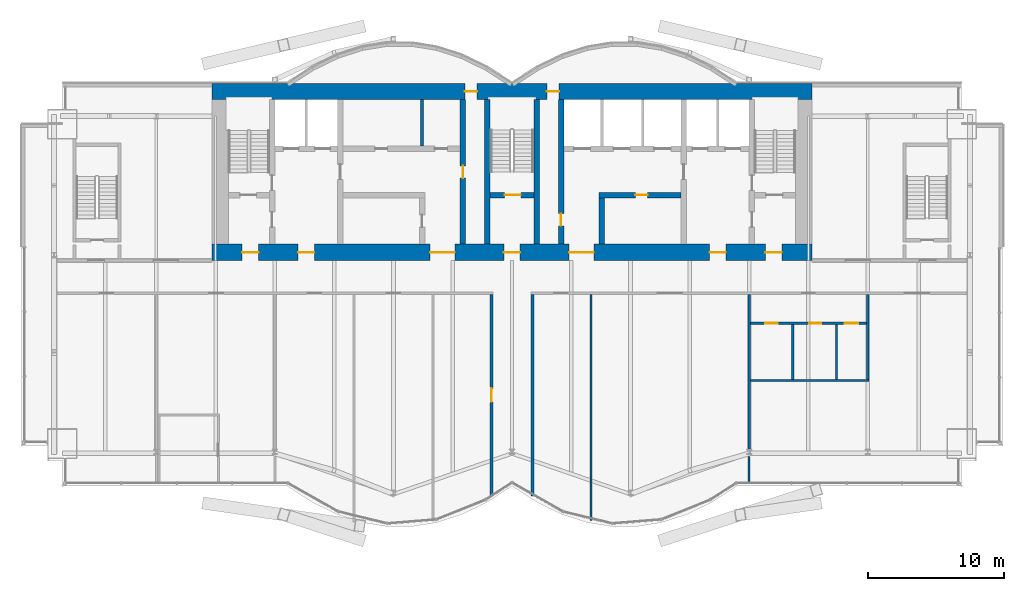
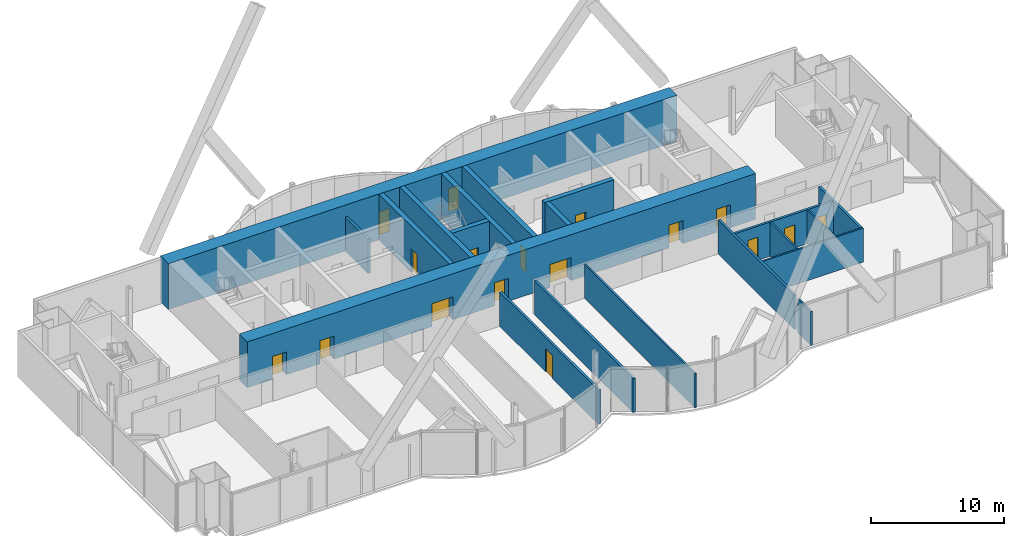
# One storey, part 17 of 22: 20 walls, 17 doors, 17 openings.
"""IFC4 building model written with IfcOpenShell, lengths in metres."""

from ifc_helpers import new_model, si_unit, direction, frame, frame_2d, origin, place, context, subcontext, project, spatial, rectangle, extrude, material, layer, layer_set, type_object, element, fill, save


model = new_model("IFC4")

# Units and contexts
model_context = context("Model", 3, precision=1e-05, world=origin(), true_north=direction((0.0, 1.0)))
body_context = subcontext(model_context, "Body", "Model", "MODEL_VIEW")
ifc_project = project(units=[si_unit("LENGTHUNIT", "METRE"), si_unit("AREAUNIT", "SQUARE_METRE"), si_unit("VOLUMEUNIT", "CUBIC_METRE"), si_unit("PLANEANGLEUNIT", "RADIAN"), si_unit("MASSUNIT", "GRAM", prefix="KILO")], contexts=[model_context])

# Site, building, storey
site_placement = place(None, origin())
site = spatial("IfcSite", under=ifc_project, at=site_placement, CompositionType="ELEMENT")
building_placement = place(site_placement, origin())
building = spatial("IfcBuilding", under=site, at=building_placement, Name="Bicima Exchange Tower", CompositionType="ELEMENT")
storey_placement = place(building_placement, frame((0.0, 0.0, 254.0)))
storey = spatial("IfcBuildingStorey", under=building, at=storey_placement, Name="L57", CompositionType="ELEMENT", Elevation=254.0)

# Wall, openings, doors
ifc_material_1 = material(Name="Gypsum board partition")
ifc_layer_1 = layer(ifc_material_1, 0.199951171875)
ifc_layer_set_1 = layer_set([ifc_layer_1], Name="Gypsum board partition")
wall_type_1 = type_object("IfcWallType", Name="Fire-rated gypsum partition 200 EI60", PredefinedType="PARTITIONING", material=ifc_layer_set_1)
wall_1_placement = place(storey_placement, frame((17.5, -17.60009765625, 0.0), z_axis=(0.0, 0.0, 1.0), x_axis=(1.0, 0.0, 0.0)))
wall_1 = element("IfcWall", 1, at=wall_1_placement, inside=storey, type_object=wall_type_1, Name="partition wall 3", PredefinedType="PARTITIONING", context=body_context, shape_type="SweptSolid", body=[
    extrude(rectangle(XDim=8.5, YDim=0.199951171875, at=frame_2d((4.25, 0.0))), origin(), (0.0, 0.0, 1.0), 3.1181640625),
])
opening_1_placement = place(wall_1_placement, frame((1.10009765625, 0.0, 0.0)))
opening_1 = element("IfcOpeningElement", 2, at=opening_1_placement, cuts=wall_1, Name="Opening L57-015", PredefinedType="OPENING", context=body_context, shape_type="SweptSolid", body=[
    extrude(rectangle(XDim=0.89990234375, YDim=2.10009765625, at=frame_2d((0.449951171875, 1.050048828125))), frame((0.0, 0.11181640625, 0.0), z_axis=(0.0, -1.0, 0.0), x_axis=(1.0, 0.0, 0.0)), (0.0, 0.0, 1.0), 0.223876953125),
])
opening_2_placement = place(wall_1_placement, frame((4.300048828125, 0.0, 0.0)))
opening_2 = element("IfcOpeningElement", 3, at=opening_2_placement, cuts=wall_1, Name="Opening L57-016", PredefinedType="OPENING", context=body_context, shape_type="SweptSolid", body=[
    extrude(rectangle(XDim=0.89990234375, YDim=2.10009765625, at=frame_2d((0.449951171875, 1.050048828125))), frame((0.0, 0.11181640625, 0.0), z_axis=(0.0, -1.0, 0.0), x_axis=(1.0, 0.0, 0.0)), (0.0, 0.0, 1.0), 0.223876953125),
])
opening_3_placement = place(wall_1_placement, frame((6.89990234375, 0.0, 0.0)))
opening_3 = element("IfcOpeningElement", 4, at=opening_3_placement, cuts=wall_1, Name="Opening L57-017", PredefinedType="OPENING", context=body_context, shape_type="SweptSolid", body=[
    extrude(rectangle(XDim=1.0, YDim=2.10009765625, at=frame_2d((0.5, 1.050048828125))), frame((0.0, 0.11181640625, 0.0), z_axis=(0.0, -1.0, 0.0), x_axis=(1.0, 0.0, 0.0)), (0.0, 0.0, 1.0), 0.223876953125),
])
ifc_material_2 = material(Name="Steel fire door leaf", Category="steel")
door_type_1 = type_object("IfcDoorType", Name="Door 1000 swing FD30S", OperationType="SINGLE_SWING_LEFT", PredefinedType="DOOR", material=ifc_material_2)
door_1_placement = place(opening_3_placement, frame((1.0, 0.0, 0.0), z_axis=(0.0, 0.0, 1.0), x_axis=(-1.0, 0.0, 0.0)))
door_1 = element("IfcDoor", 5, at=door_1_placement, inside=storey, type_object=door_type_1, Name="Door", OperationType="SINGLE_SWING_RIGHT", OverallHeight=2.10009765625, OverallWidth=1.0, PredefinedType="DOOR", context=body_context, shape_type="SweptSolid", body=[
    extrude(rectangle(XDim=1.0, YDim=2.10009765625, at=frame_2d((0.5, 1.050048828125))), frame((0.0, 0.02490234375, 0.0), z_axis=(0.0, -1.0, 0.0), x_axis=(1.0, 0.0, 0.0)), (0.0, 0.0, 1.0), 0.050048828125),
])
fill(opening_3, door_1)
door_type_2 = type_object("IfcDoorType", Name="Door 900 swing FD30S", OperationType="SINGLE_SWING_LEFT", PredefinedType="DOOR", material=ifc_material_2)
door_2_placement = place(opening_1_placement, frame((0.89990234375, 0.0, 0.0), z_axis=(0.0, 0.0, 1.0), x_axis=(-1.0, 0.0, 0.0)))
door_2 = element("IfcDoor", 6, at=door_2_placement, inside=storey, type_object=door_type_2, Name="Door", OperationType="SINGLE_SWING_RIGHT", OverallHeight=2.10009765625, OverallWidth=0.89990234375, PredefinedType="DOOR", context=body_context, shape_type="SweptSolid", body=[
    extrude(rectangle(XDim=0.89990234375, YDim=2.10009765625, at=frame_2d((0.449951171875, 1.050048828125))), frame((0.0, 0.02490234375, 0.0), z_axis=(0.0, -1.0, 0.0), x_axis=(1.0, 0.0, 0.0)), (0.0, 0.0, 1.0), 0.050048828125),
])
fill(opening_1, door_2)
door_3_placement = place(opening_2_placement, frame((0.89990234375, 0.0, 0.0), z_axis=(0.0, 0.0, 1.0), x_axis=(-1.0, 0.0, 0.0)))
door_3 = element("IfcDoor", 7, at=door_3_placement, inside=storey, type_object=door_type_2, Name="Door", OperationType="SINGLE_SWING_LEFT", OverallHeight=2.10009765625, OverallWidth=0.89990234375, PredefinedType="DOOR", context=body_context, shape_type="SweptSolid", body=[
    extrude(rectangle(XDim=0.89990234375, YDim=2.10009765625, at=frame_2d((0.449951171875, 1.050048828125))), frame((0.0, 0.02490234375, 0.0), z_axis=(0.0, -1.0, 0.0), x_axis=(1.0, 0.0, 0.0)), (0.0, 0.0, 1.0), 0.050048828125),
])
fill(opening_2, door_3)

# Wall, opening, door
wall_2_placement = place(storey_placement, frame((-1.5, -30.280029296875, 0.0), z_axis=(0.0, 0.0, 1.0), x_axis=(0.0, 1.0, 0.0)))
wall_2 = element("IfcWall", 8, at=wall_2_placement, inside=storey, type_object=wall_type_1, Name="partition wall 22", PredefinedType="PARTITIONING", context=body_context, shape_type="SweptSolid", body=[
    extrude(rectangle(XDim=14.780029296875, YDim=0.199951171875, at=frame_2d((7.39013671875, 0.0))), origin(), (0.0, 0.0, 1.0), 3.1181640625),
])
opening_4_placement = place(wall_2_placement, frame((6.89990234375, 0.0, 0.0)))
opening_4 = element("IfcOpeningElement", 9, at=opening_4_placement, cuts=wall_2, Name="Opening L57-011", PredefinedType="OPENING", context=body_context, shape_type="SweptSolid", body=[
    extrude(rectangle(XDim=1.0, YDim=2.10009765625, at=frame_2d((0.5, 1.050048828125))), frame((0.0, 0.11181640625, 0.0), z_axis=(0.0, -1.0, 0.0), x_axis=(1.0, 0.0, 0.0)), (0.0, 0.0, 1.0), 0.223876953125),
])
door_4_placement = place(opening_4_placement, origin())
door_4 = element("IfcDoor", 10, at=door_4_placement, inside=storey, type_object=door_type_1, Name="Door", OperationType="SINGLE_SWING_LEFT", OverallHeight=2.10009765625, OverallWidth=1.0, PredefinedType="DOOR", context=body_context, shape_type="SweptSolid", body=[
    extrude(rectangle(XDim=1.0, YDim=2.10009765625, at=frame_2d((0.5, 1.050048828125))), frame((0.0, 0.02490234375, 0.0), z_axis=(0.0, -1.0, 0.0), x_axis=(1.0, 0.0, 0.0)), (0.0, 0.0, 1.0), 0.050048828125),
])
fill(opening_4, door_4)

# Walls
wall_3_placement = place(storey_placement, frame((1.5, -30.280029296875, 0.0), z_axis=(0.0, 0.0, 1.0), x_axis=(0.0, 1.0, 0.0)))
element("IfcWall", 11, at=wall_3_placement, inside=storey, type_object=wall_type_1, Name="partition wall 23", PredefinedType="PARTITIONING", context=body_context, shape_type="SweptSolid", body=[
    extrude(rectangle(XDim=14.780029296875, YDim=0.199951171875, at=frame_2d((7.39013671875, 0.0))), origin(), (0.0, 0.0, 1.0), 3.1181640625),
])
wall_4_placement = place(storey_placement, frame((17.39990234375, -26.918701171875, 0.0), z_axis=(0.0, 0.0, 1.0), x_axis=(0.0, 1.0, 0.0)))
element("IfcWall", 12, at=wall_4_placement, inside=storey, type_object=wall_type_1, Name="partition wall 26", PredefinedType="PARTITIONING", context=body_context, shape_type="SweptSolid", body=[
    extrude(rectangle(XDim=11.418701171875, YDim=0.199951171875, at=frame_2d((5.70947265625, 0.0))), origin(), (0.0, 0.0, 1.0), 3.1181640625),
])
wall_5_placement = place(storey_placement, frame((26.10009765625, -21.72509765625, 0.0), z_axis=(0.0, 0.0, 1.0), x_axis=(0.0, 1.0, 0.0)))
element("IfcWall", 13, at=wall_5_placement, inside=storey, type_object=wall_type_1, Name="partition wall 29", PredefinedType="PARTITIONING", context=body_context, shape_type="SweptSolid", body=[
    extrude(rectangle(XDim=6.22509765625, YDim=0.199951171875, at=frame_2d((3.112548828125, 0.0))), origin(), (0.0, 0.0, 1.0), 3.1181640625),
])
wall_6_placement = place(storey_placement, frame((-6.60009765625, -4.60009765625, 0.0), z_axis=(0.0, 0.0, 1.0), x_axis=(0.0, 1.0, 0.0)))
element("IfcWall", 14, at=wall_6_placement, inside=storey, type_object=wall_type_1, Name="partition wall 12", PredefinedType="PARTITIONING", context=body_context, shape_type="SweptSolid", body=[
    extrude(rectangle(XDim=3.400146484375, YDim=0.199951171875, at=frame_2d((1.7001953125, 0.0))), origin(), (0.0, 0.0, 1.0), 3.1181640625),
])
ifc_layer_2 = layer(ifc_material_1, 0.14990234375)
ifc_layer_set_2 = layer_set([ifc_layer_2], Name="Gypsum board partition")
wall_type_2 = type_object("IfcWallType", Name="Gypsum partition 150", PredefinedType="PARTITIONING", material=ifc_layer_set_2)
wall_7_placement = place(storey_placement, frame((17.5, -21.800048828125, 0.0), z_axis=(0.0, 0.0, 1.0), x_axis=(1.0, 0.0, 0.0)))
element("IfcWall", 15, at=wall_7_placement, inside=storey, type_object=wall_type_2, Name="partition wall 2", PredefinedType="PARTITIONING", context=body_context, shape_type="SweptSolid", body=[
    extrude(rectangle(XDim=8.699951171875, YDim=0.14990234375, at=frame_2d((4.35009765625, 0.0))), origin(), (0.0, 0.0, 1.0), 3.1181640625),
])
wall_8_placement = place(storey_placement, frame((5.800048828125, -32.06005859375, 0.0), z_axis=(0.0, 0.0, 1.0), x_axis=(0.0, 1.0, 0.0)))
element("IfcWall", 16, at=wall_8_placement, inside=storey, type_object=wall_type_2, Name="partition wall 24", PredefinedType="PARTITIONING", context=body_context, shape_type="SweptSolid", body=[
    extrude(rectangle(XDim=16.56005859375, YDim=0.14990234375, at=frame_2d((8.280029296875, 0.0))), origin(), (0.0, 0.0, 1.0), 3.1181640625),
])
wall_9_placement = place(storey_placement, frame((17.39990234375, -29.35009765625, 0.0), z_axis=(0.0, 0.0, 1.0), x_axis=(0.0, 1.0, 0.0)))
element("IfcWall", 17, at=wall_9_placement, inside=storey, type_object=wall_type_2, Name="partition wall 25", PredefinedType="PARTITIONING", context=body_context, shape_type="SweptSolid", body=[
    extrude(rectangle(XDim=1.956787109375, YDim=0.14990234375, at=frame_2d((0.978515625, 0.0))), origin(), (0.0, 0.0, 1.0), 3.1181640625),
])
for number, where, z_axis, x_axis, name in (
    (18, (20.60009765625, -21.72509765625, 0.0), (0.0, 0.0, 1.0), (0.0, 1.0, 0.0), "partition wall 27"),
    (19, (23.800048828125, -21.72509765625, 0.0), (0.0, 0.0, 1.0), (0.0, 1.0, 0.0), "partition wall 28"),
):
    element("IfcWall", number, at=place(storey_placement, frame(where, z_axis=z_axis, x_axis=x_axis)), inside=storey, type_object=wall_type_2, Name=name, PredefinedType="PARTITIONING", context=body_context, shape_type="SweptSolid", body=[
        extrude(rectangle(XDim=4.025146484375, YDim=0.14990234375, at=frame_2d((2.0126953125, 0.0))), origin(), (0.0, 0.0, 1.0), 3.1181640625),
    ])

# Wall, openings, doors
ifc_material_3 = material(Name="Concrete C40/50", Category="concrete")
ifc_layer_3 = layer(ifc_material_3, 1.199951171875)
ifc_layer_set_3 = layer_set([ifc_layer_3], Name="Concrete C40/50")
wall_type_3 = type_object("IfcWallType", Name="RC core wall 1200 C40/50", PredefinedType="SHEAR", material=ifc_layer_set_3)
wall_10_placement = place(storey_placement, frame((-22.0, -0.60009765625, 0.0), z_axis=(0.0, 0.0, 1.0), x_axis=(1.0, 0.0, 0.0)))
wall_10 = element("IfcWall", 20, at=wall_10_placement, inside=storey, type_object=wall_type_3, Name="Core wall north", PredefinedType="SHEAR", context=body_context, shape_type="SweptSolid", body=[
    extrude(rectangle(XDim=44.0, YDim=1.199951171875, at=frame_2d((22.0, 0.0))), origin(), (0.0, 0.0, 1.0), 4.199951171875),
])
opening_5_placement = place(wall_10_placement, frame((18.550048828125, 0.0, 0.0)))
opening_5 = element("IfcOpeningElement", 21, at=opening_5_placement, cuts=wall_10, Name="Opening L57-C16", PredefinedType="OPENING", context=body_context, shape_type="SweptSolid", body=[
    extrude(rectangle(XDim=0.89990234375, YDim=2.10009765625, at=frame_2d((0.449951171875, 1.050048828125))), frame((0.0, 0.61181640625, 0.0), z_axis=(0.0, -1.0, 0.0), x_axis=(1.0, 0.0, 0.0)), (0.0, 0.0, 1.0), 1.223876953125),
])
opening_6_placement = place(wall_10_placement, frame((24.550048828125, 0.0, 0.0)))
opening_6 = element("IfcOpeningElement", 22, at=opening_6_placement, cuts=wall_10, Name="Opening L57-C17", PredefinedType="OPENING", context=body_context, shape_type="SweptSolid", body=[
    extrude(rectangle(XDim=0.89990234375, YDim=2.10009765625, at=frame_2d((0.449951171875, 1.050048828125))), frame((0.0, 0.61181640625, 0.0), z_axis=(0.0, -1.0, 0.0), x_axis=(1.0, 0.0, 0.0)), (0.0, 0.0, 1.0), 1.223876953125),
])
door_5_placement = place(opening_5_placement, origin())
door_5 = element("IfcDoor", 23, at=door_5_placement, inside=storey, type_object=door_type_2, Name="Core door", OperationType="SINGLE_SWING_LEFT", OverallHeight=2.10009765625, OverallWidth=0.89990234375, PredefinedType="DOOR", context=body_context, shape_type="SweptSolid", body=[
    extrude(rectangle(XDim=0.89990234375, YDim=2.10009765625, at=frame_2d((0.449951171875, 1.050048828125))), frame((0.0, 0.02490234375, 0.0), z_axis=(0.0, -1.0, 0.0), x_axis=(1.0, 0.0, 0.0)), (0.0, 0.0, 1.0), 0.050048828125),
])
fill(opening_5, door_5)
door_6_placement = place(opening_6_placement, origin())
door_6 = element("IfcDoor", 24, at=door_6_placement, inside=storey, type_object=door_type_2, Name="Core door", OperationType="SINGLE_SWING_LEFT", OverallHeight=2.10009765625, OverallWidth=0.89990234375, PredefinedType="DOOR", context=body_context, shape_type="SweptSolid", body=[
    extrude(rectangle(XDim=0.89990234375, YDim=2.10009765625, at=frame_2d((0.449951171875, 1.050048828125))), frame((0.0, 0.02490234375, 0.0), z_axis=(0.0, -1.0, 0.0), x_axis=(1.0, 0.0, 0.0)), (0.0, 0.0, 1.0), 0.050048828125),
])
fill(opening_6, door_6)

wall_11_placement = place(storey_placement, frame((-22.0, -12.39990234375, 0.0), z_axis=(0.0, 0.0, 1.0), x_axis=(1.0, 0.0, 0.0)))
wall_11 = element("IfcWall", 25, at=wall_11_placement, inside=storey, type_object=wall_type_3, Name="Core wall south", PredefinedType="SHEAR", context=body_context, shape_type="SweptSolid", body=[
    extrude(rectangle(XDim=44.0, YDim=1.199951171875, at=frame_2d((22.0, 0.0))), origin(), (0.0, 0.0, 1.0), 4.199951171875),
])
opening_7_placement = place(wall_11_placement, frame((2.199951171875, 0.0, 0.0)))
opening_7 = element("IfcOpeningElement", 26, at=opening_7_placement, cuts=wall_11, Name="Opening L57-C18", PredefinedType="OPENING", context=body_context, shape_type="SweptSolid", body=[
    extrude(rectangle(XDim=1.199951171875, YDim=2.10009765625, at=frame_2d((0.60009765625, 1.050048828125))), frame((0.0, 0.61181640625, 0.0), z_axis=(0.0, -1.0, 0.0), x_axis=(1.0, 0.0, 0.0)), (0.0, 0.0, 1.0), 1.223876953125),
])
opening_8_placement = place(wall_11_placement, frame((21.39990234375, 0.0, 0.0)))
opening_8 = element("IfcOpeningElement", 27, at=opening_8_placement, cuts=wall_11, Name="Opening L57-C19", PredefinedType="OPENING", context=body_context, shape_type="SweptSolid", body=[
    extrude(rectangle(XDim=1.199951171875, YDim=2.10009765625, at=frame_2d((0.60009765625, 1.050048828125))), frame((0.0, 0.61181640625, 0.0), z_axis=(0.0, -1.0, 0.0), x_axis=(1.0, 0.0, 0.0)), (0.0, 0.0, 1.0), 1.223876953125),
])
opening_9_placement = place(wall_11_placement, frame((40.60009765625, 0.0, 0.0)))
opening_9 = element("IfcOpeningElement", 28, at=opening_9_placement, cuts=wall_11, Name="Opening L57-C20", PredefinedType="OPENING", context=body_context, shape_type="SweptSolid", body=[
    extrude(rectangle(XDim=1.199951171875, YDim=2.10009765625, at=frame_2d((0.60009765625, 1.050048828125))), frame((0.0, 0.61181640625, 0.0), z_axis=(0.0, -1.0, 0.0), x_axis=(1.0, 0.0, 0.0)), (0.0, 0.0, 1.0), 1.223876953125),
])
opening_10_placement = place(wall_11_placement, frame((16.0, 0.0, 0.0)))
opening_10 = element("IfcOpeningElement", 29, at=opening_10_placement, cuts=wall_11, Name="Opening L57-C21", PredefinedType="OPENING", context=body_context, shape_type="SweptSolid", body=[
    extrude(rectangle(XDim=1.800048828125, YDim=2.10009765625, at=frame_2d((0.89990234375, 1.050048828125))), frame((0.0, 0.61181640625, 0.0), z_axis=(0.0, -1.0, 0.0), x_axis=(1.0, 0.0, 0.0)), (0.0, 0.0, 1.0), 1.223876953125),
])
opening_11_placement = place(wall_11_placement, frame((6.300048828125, 0.0, 0.0)))
opening_11 = element("IfcOpeningElement", 30, at=opening_11_placement, cuts=wall_11, Name="Opening L57-C22", PredefinedType="OPENING", context=body_context, shape_type="SweptSolid", body=[
    extrude(rectangle(XDim=1.199951171875, YDim=2.10009765625, at=frame_2d((0.60009765625, 1.050048828125))), frame((0.0, 0.61181640625, 0.0), z_axis=(0.0, -1.0, 0.0), x_axis=(1.0, 0.0, 0.0)), (0.0, 0.0, 1.0), 1.223876953125),
])
opening_12_placement = place(wall_11_placement, frame((26.199951171875, 0.0, 0.0)))
opening_12 = element("IfcOpeningElement", 31, at=opening_12_placement, cuts=wall_11, Name="Opening L57-C23", PredefinedType="OPENING", context=body_context, shape_type="SweptSolid", body=[
    extrude(rectangle(XDim=1.800048828125, YDim=2.10009765625, at=frame_2d((0.89990234375, 1.050048828125))), frame((0.0, 0.61181640625, 0.0), z_axis=(0.0, -1.0, 0.0), x_axis=(1.0, 0.0, 0.0)), (0.0, 0.0, 1.0), 1.223876953125),
])
opening_13_placement = place(wall_11_placement, frame((36.5, 0.0, 0.0)))
opening_13 = element("IfcOpeningElement", 32, at=opening_13_placement, cuts=wall_11, Name="Opening L57-C24", PredefinedType="OPENING", context=body_context, shape_type="SweptSolid", body=[
    extrude(rectangle(XDim=1.199951171875, YDim=2.10009765625, at=frame_2d((0.60009765625, 1.050048828125))), frame((0.0, 0.61181640625, 0.0), z_axis=(0.0, -1.0, 0.0), x_axis=(1.0, 0.0, 0.0)), (0.0, 0.0, 1.0), 1.223876953125),
])
door_type_3 = type_object("IfcDoorType", Name="Door 1200 swing FD60S", OperationType="SINGLE_SWING_LEFT", PredefinedType="DOOR", material=ifc_material_2)
door_7_placement = place(opening_7_placement, frame((1.199951171875, 0.0, 0.0), z_axis=(0.0, 0.0, 1.0), x_axis=(-1.0, 0.0, 0.0)))
door_7 = element("IfcDoor", 33, at=door_7_placement, inside=storey, type_object=door_type_3, Name="Core door", OperationType="SINGLE_SWING_RIGHT", OverallHeight=2.10009765625, OverallWidth=1.199951171875, PredefinedType="DOOR", context=body_context, shape_type="SweptSolid", body=[
    extrude(rectangle(XDim=1.199951171875, YDim=2.10009765625, at=frame_2d((0.60009765625, 1.050048828125))), frame((0.0, 0.02490234375, 0.0), z_axis=(0.0, -1.0, 0.0), x_axis=(1.0, 0.0, 0.0)), (0.0, 0.0, 1.0), 0.050048828125),
])
fill(opening_7, door_7)
door_8_placement = place(opening_8_placement, frame((1.199951171875, 0.0, 0.0), z_axis=(0.0, 0.0, 1.0), x_axis=(-1.0, 0.0, 0.0)))
door_8 = element("IfcDoor", 34, at=door_8_placement, inside=storey, type_object=door_type_3, Name="Core door", OperationType="SINGLE_SWING_RIGHT", OverallHeight=2.10009765625, OverallWidth=1.199951171875, PredefinedType="DOOR", context=body_context, shape_type="SweptSolid", body=[
    extrude(rectangle(XDim=1.199951171875, YDim=2.10009765625, at=frame_2d((0.60009765625, 1.050048828125))), frame((0.0, 0.02490234375, 0.0), z_axis=(0.0, -1.0, 0.0), x_axis=(1.0, 0.0, 0.0)), (0.0, 0.0, 1.0), 0.050048828125),
])
fill(opening_8, door_8)
door_9_placement = place(opening_9_placement, frame((1.199951171875, 0.0, 0.0), z_axis=(0.0, 0.0, 1.0), x_axis=(-1.0, 0.0, 0.0)))
door_9 = element("IfcDoor", 35, at=door_9_placement, inside=storey, type_object=door_type_3, Name="Core door", OperationType="SINGLE_SWING_RIGHT", OverallHeight=2.10009765625, OverallWidth=1.199951171875, PredefinedType="DOOR", context=body_context, shape_type="SweptSolid", body=[
    extrude(rectangle(XDim=1.199951171875, YDim=2.10009765625, at=frame_2d((0.60009765625, 1.050048828125))), frame((0.0, 0.02490234375, 0.0), z_axis=(0.0, -1.0, 0.0), x_axis=(1.0, 0.0, 0.0)), (0.0, 0.0, 1.0), 0.050048828125),
])
fill(opening_9, door_9)
door_10_placement = place(opening_11_placement, frame((1.199951171875, 0.0, 0.0), z_axis=(0.0, 0.0, 1.0), x_axis=(-1.0, 0.0, 0.0)))
door_10 = element("IfcDoor", 36, at=door_10_placement, inside=storey, type_object=door_type_3, Name="Core door", OperationType="SINGLE_SWING_RIGHT", OverallHeight=2.10009765625, OverallWidth=1.199951171875, PredefinedType="DOOR", context=body_context, shape_type="SweptSolid", body=[
    extrude(rectangle(XDim=1.199951171875, YDim=2.10009765625, at=frame_2d((0.60009765625, 1.050048828125))), frame((0.0, 0.02490234375, 0.0), z_axis=(0.0, -1.0, 0.0), x_axis=(1.0, 0.0, 0.0)), (0.0, 0.0, 1.0), 0.050048828125),
])
fill(opening_11, door_10)
door_11_placement = place(opening_13_placement, frame((1.199951171875, 0.0, 0.0), z_axis=(0.0, 0.0, 1.0), x_axis=(-1.0, 0.0, 0.0)))
door_11 = element("IfcDoor", 37, at=door_11_placement, inside=storey, type_object=door_type_3, Name="Core door", OperationType="SINGLE_SWING_RIGHT", OverallHeight=2.10009765625, OverallWidth=1.199951171875, PredefinedType="DOOR", context=body_context, shape_type="SweptSolid", body=[
    extrude(rectangle(XDim=1.199951171875, YDim=2.10009765625, at=frame_2d((0.60009765625, 1.050048828125))), frame((0.0, 0.02490234375, 0.0), z_axis=(0.0, -1.0, 0.0), x_axis=(1.0, 0.0, 0.0)), (0.0, 0.0, 1.0), 0.050048828125),
])
fill(opening_13, door_11)
door_type_4 = type_object("IfcDoorType", Name="Door 1800 double swing FD30S", OperationType="DOUBLE_DOOR_SINGLE_SWING", PredefinedType="DOOR", material=ifc_material_2)
door_12_placement = place(opening_10_placement, origin())
door_12 = element("IfcDoor", 38, at=door_12_placement, inside=storey, type_object=door_type_4, Name="Core door", OperationType="SINGLE_SWING_LEFT", OverallHeight=2.10009765625, OverallWidth=1.800048828125, PredefinedType="DOOR", context=body_context, shape_type="SweptSolid", body=[
    extrude(rectangle(XDim=1.800048828125, YDim=2.10009765625, at=frame_2d((0.89990234375, 1.050048828125))), frame((0.0, 0.02490234375, 0.0), z_axis=(0.0, -1.0, 0.0), x_axis=(1.0, 0.0, 0.0)), (0.0, 0.0, 1.0), 0.050048828125),
])
fill(opening_10, door_12)
door_13_placement = place(opening_12_placement, origin())
door_13 = element("IfcDoor", 39, at=door_13_placement, inside=storey, type_object=door_type_4, Name="Core door", OperationType="SINGLE_SWING_LEFT", OverallHeight=2.10009765625, OverallWidth=1.800048828125, PredefinedType="DOOR", context=body_context, shape_type="SweptSolid", body=[
    extrude(rectangle(XDim=1.800048828125, YDim=2.10009765625, at=frame_2d((0.89990234375, 1.050048828125))), frame((0.0, 0.02490234375, 0.0), z_axis=(0.0, -1.0, 0.0), x_axis=(1.0, 0.0, 0.0)), (0.0, 0.0, 1.0), 0.050048828125),
])
fill(opening_12, door_13)

# Wall, opening, door
ifc_layer_4 = layer(ifc_material_3, 0.39990234375)
ifc_layer_set_4 = layer_set([ifc_layer_4], Name="Concrete C40/50")
wall_type_4 = type_object("IfcWallType", Name="RC core wall 400 C40/50", PredefinedType="SHEAR", material=ifc_layer_set_4)
wall_12_placement = place(storey_placement, frame((6.39990234375, -8.199951171875, 0.0), z_axis=(0.0, 0.0, 1.0), x_axis=(1.0, 0.0, 0.0)))
wall_12 = element("IfcWall", 40, at=wall_12_placement, inside=storey, type_object=wall_type_4, Name="shear wall 4", PredefinedType="SHEAR", context=body_context, shape_type="SweptSolid", body=[
    extrude(rectangle(XDim=6.0, YDim=0.39990234375, at=frame_2d((3.0, 0.0))), origin(), (0.0, 0.0, 1.0), 4.199951171875),
])
opening_14_placement = place(wall_12_placement, frame((2.64990234375, 0.0, 0.0)))
opening_14 = element("IfcOpeningElement", 41, at=opening_14_placement, cuts=wall_12, Name="Opening L57-C15", PredefinedType="OPENING", context=body_context, shape_type="SweptSolid", body=[
    extrude(rectangle(XDim=0.89990234375, YDim=2.10009765625, at=frame_2d((0.449951171875, 1.050048828125))), frame((0.0, 0.2119140625, 0.0), z_axis=(0.0, -1.0, 0.0), x_axis=(1.0, 0.0, 0.0)), (0.0, 0.0, 1.0), 0.423828125),
])
door_14_placement = place(opening_14_placement, frame((0.89990234375, 0.0, 0.0), z_axis=(0.0, 0.0, 1.0), x_axis=(-1.0, 0.0, 0.0)))
door_14 = element("IfcDoor", 42, at=door_14_placement, inside=storey, type_object=door_type_2, Name="Core door", OperationType="SINGLE_SWING_RIGHT", OverallHeight=2.10009765625, OverallWidth=0.89990234375, PredefinedType="DOOR", context=body_context, shape_type="SweptSolid", body=[
    extrude(rectangle(XDim=0.89990234375, YDim=2.10009765625, at=frame_2d((0.449951171875, 1.050048828125))), frame((0.0, 0.02490234375, 0.0), z_axis=(0.0, -1.0, 0.0), x_axis=(1.0, 0.0, 0.0)), (0.0, 0.0, 1.0), 0.050048828125),
])
fill(opening_14, door_14)

wall_13_placement = place(storey_placement, frame((-3.60009765625, -11.800048828125, 0.0), z_axis=(0.0, 0.0, 1.0), x_axis=(0.0, 1.0, 0.0)))
wall_13 = element("IfcWall", 43, at=wall_13_placement, inside=storey, type_object=wall_type_4, Name="shear wall 13", PredefinedType="SHEAR", context=body_context, shape_type="SweptSolid", body=[
    extrude(rectangle(XDim=10.60009765625, YDim=0.39990234375, at=frame_2d((5.300048828125, 0.0))), origin(), (0.0, 0.0, 1.0), 4.199951171875),
])
opening_15_placement = place(wall_13_placement, frame((4.85009765625, 0.0, 0.0)))
opening_15 = element("IfcOpeningElement", 44, at=opening_15_placement, cuts=wall_13, Name="Opening L57-C10", PredefinedType="OPENING", context=body_context, shape_type="SweptSolid", body=[
    extrude(rectangle(XDim=0.89990234375, YDim=2.10009765625, at=frame_2d((0.449951171875, 1.050048828125))), frame((0.0, 0.2119140625, 0.0), z_axis=(0.0, -1.0, 0.0), x_axis=(1.0, 0.0, 0.0)), (0.0, 0.0, 1.0), 0.423828125),
])
door_15_placement = place(opening_15_placement, frame((0.89990234375, 0.0, 0.0), z_axis=(0.0, 0.0, 1.0), x_axis=(-1.0, 0.0, 0.0)))
door_15 = element("IfcDoor", 45, at=door_15_placement, inside=storey, type_object=door_type_2, Name="Core door", OperationType="SINGLE_SWING_LEFT", OverallHeight=2.10009765625, OverallWidth=0.89990234375, PredefinedType="DOOR", context=body_context, shape_type="SweptSolid", body=[
    extrude(rectangle(XDim=0.89990234375, YDim=2.10009765625, at=frame_2d((0.449951171875, 1.050048828125))), frame((0.0, 0.02490234375, 0.0), z_axis=(0.0, -1.0, 0.0), x_axis=(1.0, 0.0, 0.0)), (0.0, 0.0, 1.0), 0.050048828125),
])
fill(opening_15, door_15)

wall_14_placement = place(storey_placement, frame((3.60009765625, -11.800048828125, 0.0), z_axis=(0.0, 0.0, 1.0), x_axis=(0.0, 1.0, 0.0)))
wall_14 = element("IfcWall", 46, at=wall_14_placement, inside=storey, type_object=wall_type_4, Name="shear wall 16", PredefinedType="SHEAR", context=body_context, shape_type="SweptSolid", body=[
    extrude(rectangle(XDim=10.60009765625, YDim=0.39990234375, at=frame_2d((5.300048828125, 0.0))), origin(), (0.0, 0.0, 1.0), 4.199951171875),
])
opening_16_placement = place(wall_14_placement, frame((1.35009765625, 0.0, 0.0)))
opening_16 = element("IfcOpeningElement", 47, at=opening_16_placement, cuts=wall_14, Name="Opening L57-C11", PredefinedType="OPENING", context=body_context, shape_type="SweptSolid", body=[
    extrude(rectangle(XDim=0.89990234375, YDim=2.10009765625, at=frame_2d((0.449951171875, 1.050048828125))), frame((0.0, 0.2119140625, 0.0), z_axis=(0.0, -1.0, 0.0), x_axis=(1.0, 0.0, 0.0)), (0.0, 0.0, 1.0), 0.423828125),
])
door_16_placement = place(opening_16_placement, origin())
door_16 = element("IfcDoor", 48, at=door_16_placement, inside=storey, type_object=door_type_2, Name="Core door", OperationType="SINGLE_SWING_LEFT", OverallHeight=2.10009765625, OverallWidth=0.89990234375, PredefinedType="DOOR", context=body_context, shape_type="SweptSolid", body=[
    extrude(rectangle(XDim=0.89990234375, YDim=2.10009765625, at=frame_2d((0.449951171875, 1.050048828125))), frame((0.0, 0.02490234375, 0.0), z_axis=(0.0, -1.0, 0.0), x_axis=(1.0, 0.0, 0.0)), (0.0, 0.0, 1.0), 0.050048828125),
])
fill(opening_16, door_16)

# Wall
wall_15_placement = place(storey_placement, frame((6.60009765625, -11.800048828125, 0.0), z_axis=(0.0, 0.0, 1.0), x_axis=(0.0, 1.0, 0.0)))
element("IfcWall", 49, at=wall_15_placement, inside=storey, type_object=wall_type_4, Name="shear wall 17", PredefinedType="SHEAR", context=body_context, shape_type="SweptSolid", body=[
    extrude(rectangle(XDim=3.400146484375, YDim=0.39990234375, at=frame_2d((1.7001953125, 0.0))), origin(), (0.0, 0.0, 1.0), 4.199951171875),
])

# Wall, opening, door
ifc_material_4 = material(Name="Concrete C50/60", Category="concrete")
ifc_layer_5 = layer(ifc_material_4, 0.39990234375)
ifc_layer_set_5 = layer_set([ifc_layer_5], Name="Concrete C50/60")
wall_type_5 = type_object("IfcWallType", Name="RC core wall 400 C50/60", PredefinedType="SHEAR", material=ifc_layer_set_5)
wall_16_placement = place(storey_placement, frame((-1.60009765625, -8.199951171875, 0.0), z_axis=(0.0, 0.0, 1.0), x_axis=(1.0, 0.0, 0.0)))
wall_16 = element("IfcWall", 50, at=wall_16_placement, inside=storey, type_object=wall_type_5, Name="stair wall 3", PredefinedType="SHEAR", context=body_context, shape_type="SweptSolid", body=[
    extrude(rectangle(XDim=3.2001953125, YDim=0.39990234375, at=frame_2d((1.60009765625, 0.0))), origin(), (0.0, 0.0, 1.0), 4.199951171875),
])
opening_17_placement = place(wall_16_placement, frame((1.050048828125, 0.0, 0.0)))
opening_17 = element("IfcOpeningElement", 51, at=opening_17_placement, cuts=wall_16, Name="Opening L57-C03", PredefinedType="OPENING", context=body_context, shape_type="SweptSolid", body=[
    extrude(rectangle(XDim=1.199951171875, YDim=2.10009765625, at=frame_2d((0.60009765625, 1.050048828125))), frame((0.0, 0.2119140625, 0.0), z_axis=(0.0, -1.0, 0.0), x_axis=(1.0, 0.0, 0.0)), (0.0, 0.0, 1.0), 0.423828125),
])
door_17_placement = place(opening_17_placement, origin())
door_17 = element("IfcDoor", 52, at=door_17_placement, inside=storey, type_object=door_type_3, Name="Core door", OperationType="SINGLE_SWING_LEFT", OverallHeight=2.10009765625, OverallWidth=1.199951171875, PredefinedType="DOOR", context=body_context, shape_type="SweptSolid", body=[
    extrude(rectangle(XDim=1.199951171875, YDim=2.10009765625, at=frame_2d((0.60009765625, 1.050048828125))), frame((0.0, 0.02490234375, 0.0), z_axis=(0.0, -1.0, 0.0), x_axis=(1.0, 0.0, 0.0)), (0.0, 0.0, 1.0), 0.050048828125),
])
fill(opening_17, door_17)

# Walls
for number, where, z_axis, x_axis, name in (
    (53, (-1.800048828125, -11.800048828125, 0.0), (0.0, 0.0, 1.0), (0.0, 1.0, 0.0), "stair wall 14"),
    (54, (1.800048828125, -11.800048828125, 0.0), (0.0, 0.0, 1.0), (0.0, 1.0, 0.0), "stair wall 15"),
):
    element("IfcWall", number, at=place(storey_placement, frame(where, z_axis=z_axis, x_axis=x_axis)), inside=storey, type_object=wall_type_5, Name=name, PredefinedType="SHEAR", context=body_context, shape_type="SweptSolid", body=[
        extrude(rectangle(XDim=10.60009765625, YDim=0.39990234375, at=frame_2d((5.300048828125, 0.0))), origin(), (0.0, 0.0, 1.0), 4.199951171875),
    ])

save(model, "model.ifc")
